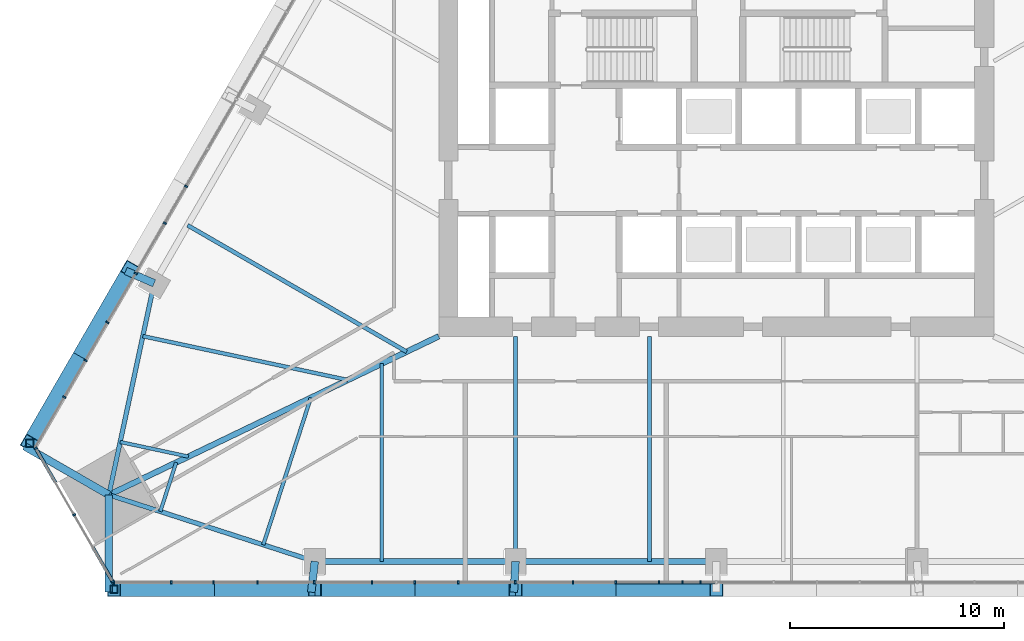
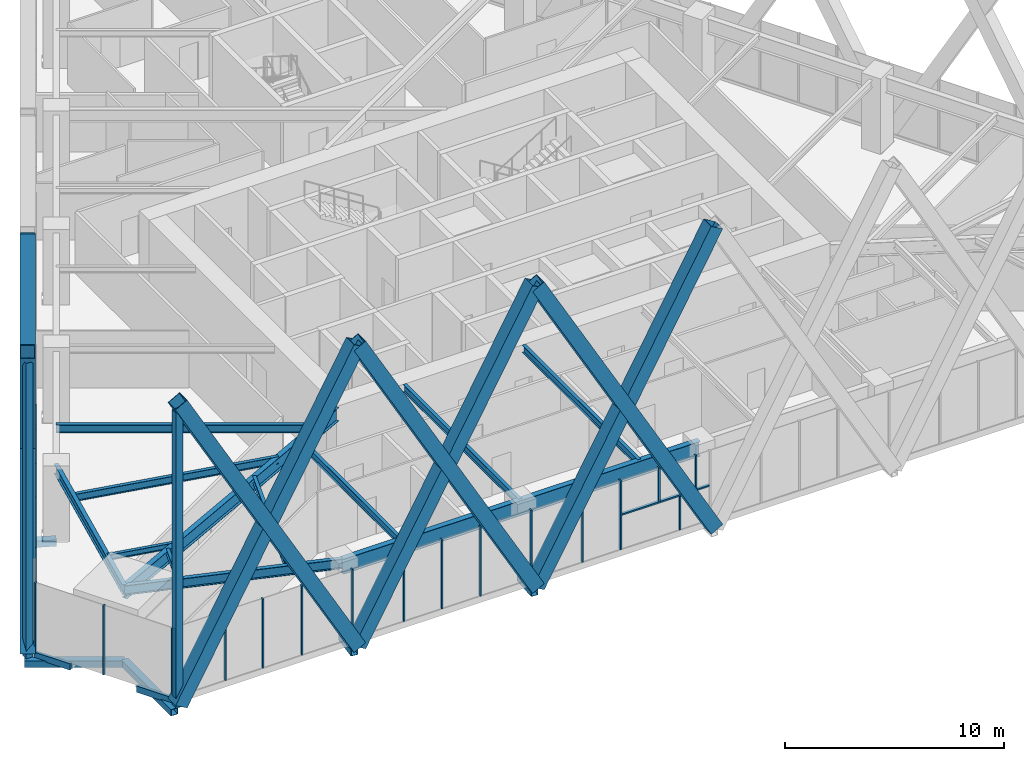
# One storey, part 2 of 21: 41 members, 12 beams, 3 elements without a shape of their own.
"""IFC4 building model written with IfcOpenShell, lengths in metres."""

from ifc_helpers import new_model, si_unit, direction, frame, origin, origin_2d, place, context, subcontext, project, spatial, rectangle, hollow_rectangle, i_section, extrude, material, layer, layer_set, material_profile, profile_set, type_object, element, aggregate, save


model = new_model("IFC4")

# Units and contexts
model_context = context("Model", 3, precision=1e-05, world=origin(), true_north=direction((0.0, 1.0)))
body_context = subcontext(model_context, "Body", "Model", "MODEL_VIEW")
ifc_project = project(units=[si_unit("LENGTHUNIT", "METRE"), si_unit("AREAUNIT", "SQUARE_METRE"), si_unit("VOLUMEUNIT", "CUBIC_METRE"), si_unit("PLANEANGLEUNIT", "RADIAN"), si_unit("MASSUNIT", "GRAM", prefix="KILO")], contexts=[model_context])

# Site, building, storey
site_placement = place(None, origin())
site = spatial("IfcSite", under=ifc_project, at=site_placement, CompositionType="ELEMENT")
building_placement = place(site_placement, origin())
building = spatial("IfcBuilding", under=site, at=building_placement, Name="Firuza Gate Tower and Library", CompositionType="ELEMENT")
storey_placement = place(building_placement, frame((0.0, 0.0, 90.39990234375)))
storey = spatial("IfcBuildingStorey", under=building, at=storey_placement, Name="L20", CompositionType="ELEMENT", Elevation=90.39990234375)

# Members
ifc_material_1 = material(Name="Steel S355", Category="steel")
ifc_material_profile_1 = material_profile(ifc_material_1, hollow_rectangle(XDim=0.699951171875, YDim=0.699951171875, WallThickness=0.030029296875, at=origin_2d()))
ifc_profile_set_1 = profile_set([ifc_material_profile_1], Name="Steel S355")
member_type_1 = type_object("IfcMemberType", Name="BU700x700x30 Lattice brace", PredefinedType="BRACE", material=ifc_profile_set_1)
for number, where, z_axis, x_axis, name in (
    (1, (46.789794921875, 54.156005859375, 0.0), (0.488426893294, 0.0, 0.872604818865), (0.0, 1.0, 0.0), "Lattice brace S 4.1R"),
    (2, (56.193359375, 54.156005859375, 0.0), (-0.488426893294, 0.0, 0.872604818865), (0.0, -1.0, 0.0), "Lattice brace S 4.1L"),
    (3, (56.193359375, 54.156005859375, 0.0), (0.488417237536, 0.0, 0.872610223455), (0.0, 1.0, 0.0), "Lattice brace S 4.2R"),
    (4, (65.5966796875, 54.156005859375, 0.0), (-0.488417237536, 0.0, 0.872610223455), (0.0, -1.0, 0.0), "Lattice brace S 4.2L"),
    (5, (65.5966796875, 54.156005859375, 0.0), (0.488417237536, 0.0, 0.872610223455), (0.0, 1.0, 0.0), "Lattice brace S 4.3R"),
    (6, (75.0, 54.156005859375, 0.0), (-0.488417237536, 0.0, 0.872610223455), (0.0, -1.0, 0.0), "Lattice brace S 4.3L"),
    (7, (47.545166015625, 69.135009765625, 0.0), (-0.24420840192, -0.422983459052, 0.872609448608), (0.866026478318, -0.499998138849, 0.0), "Lattice brace W 4.6R"),
    (8, (42.843505859375, 60.991455078125, 0.0), (0.24420840192, 0.422983459052, 0.872609448608), (-0.866026478318, 0.499998138849, 0.0), "Lattice brace W 4.6L"),
):
    element("IfcMember", number, at=place(storey_placement, frame(where, z_axis=z_axis, x_axis=x_axis)), inside=storey, type_object=member_type_1, Name=name, PredefinedType="BRACE", context=body_context, shape_type="SweptSolid", body=[
        extrude(hollow_rectangle(XDim=0.699951171875, YDim=0.699951171875, WallThickness=0.030029296875, at=origin_2d()), origin(), (0.0, 0.0, 1.0), 19.252685546875),
    ])

# Curtain wall, members
ifc_material_2 = material(Name="Aluminium 6063-T6", Category="aluminium")
ifc_layer_1 = layer(ifc_material_2, 0.14990234375)
ifc_layer_set_1 = layer_set([ifc_layer_1], Name="Unitised curtain wall, offices")
curtain_wall_type_1 = type_object("IfcCurtainWallType", Name="Unitised curtain wall, offices", PredefinedType="NOTDEFINED", material=ifc_layer_set_1)
placement = place(storey_placement, origin())
curtain_wall_1 = element("IfcCurtainWall", 9, at=placement, inside=storey, type_object=curtain_wall_type_1, Name="CW1 L20 S face", PredefinedType="NOTDEFINED")
ifc_material_3 = material(Name="Aluminium 6063-T6", Category="aluminium")
ifc_material_profile_2 = material_profile(ifc_material_3, rectangle(XDim=0.14990234375, YDim=0.080078125, at=origin_2d()))
ifc_profile_set_2 = profile_set([ifc_material_profile_2], Name="Aluminium 6063-T6")
member_type_2 = type_object("IfcMemberType", Name="Curtain wall mullion 80x150", PredefinedType="MULLION", material=ifc_profile_set_2)
member_1_placement = place(storey_placement, frame((46.78662109375, 54.48095703125, 0.150146484375), z_axis=(0.0, 0.0, 1.0), x_axis=(0.0, 1.0, 0.0)))
member_1 = element("IfcMember", 10, at=member_1_placement, type_object=member_type_2, Name="Mullion", PredefinedType="MULLION", context=body_context, shape_type="SweptSolid", body=[
    extrude(rectangle(XDim=0.14990234375, YDim=0.080078125, at=origin_2d()), origin(), (0.0, 0.0, 1.0), 3.849853515625),
])
member_2_placement = place(storey_placement, frame((51.45556640625, 54.48095703125, 0.150146484375), z_axis=(0.0, 0.0, 1.0), x_axis=(0.0, 1.0, 0.0)))
member_2 = element("IfcMember", 11, at=member_2_placement, type_object=member_type_2, Name="Mullion", PredefinedType="MULLION", context=body_context, shape_type="SweptSolid", body=[
    extrude(rectangle(XDim=0.14990234375, YDim=0.080078125, at=origin_2d()), origin(), (0.0, 0.0, 1.0), 3.849853515625),
])
member_3_placement = place(storey_placement, frame((56.164306640625, 54.48095703125, 0.150146484375), z_axis=(0.0, 0.0, 1.0), x_axis=(0.0, 1.0, 0.0)))
member_3 = element("IfcMember", 12, at=member_3_placement, type_object=member_type_2, Name="Mullion", PredefinedType="MULLION", context=body_context, shape_type="SweptSolid", body=[
    extrude(rectangle(XDim=0.14990234375, YDim=0.080078125, at=origin_2d()), origin(), (0.0, 0.0, 1.0), 3.849853515625),
])
member_4_placement = place(storey_placement, frame((60.873291015625, 54.48095703125, 0.150146484375), z_axis=(0.0, 0.0, 1.0), x_axis=(0.0, 1.0, 0.0)))
member_4 = element("IfcMember", 13, at=member_4_placement, type_object=member_type_2, Name="Mullion", PredefinedType="MULLION", context=body_context, shape_type="SweptSolid", body=[
    extrude(rectangle(XDim=0.14990234375, YDim=0.080078125, at=origin_2d()), origin(), (0.0, 0.0, 1.0), 3.849853515625),
])
member_5_placement = place(storey_placement, frame((65.582275390625, 54.48095703125, 0.150146484375), z_axis=(0.0, 0.0, 1.0), x_axis=(0.0, 1.0, 0.0)))
member_5 = element("IfcMember", 14, at=member_5_placement, type_object=member_type_2, Name="Mullion", PredefinedType="MULLION", context=body_context, shape_type="SweptSolid", body=[
    extrude(rectangle(XDim=0.14990234375, YDim=0.080078125, at=origin_2d()), origin(), (0.0, 0.0, 1.0), 3.849853515625),
])
member_6_placement = place(storey_placement, frame((70.291015625, 54.48095703125, 0.150146484375), z_axis=(0.0, 0.0, 1.0), x_axis=(0.0, 1.0, 0.0)))
member_6 = element("IfcMember", 15, at=member_6_placement, type_object=member_type_2, Name="Mullion", PredefinedType="MULLION", context=body_context, shape_type="SweptSolid", body=[
    extrude(rectangle(XDim=0.14990234375, YDim=0.080078125, at=origin_2d()), origin(), (0.0, 0.0, 1.0), 3.849853515625),
])
member_7_placement = place(storey_placement, frame((49.474853515625, 54.48095703125, 0.150146484375), z_axis=(0.0, 0.0, 1.0), x_axis=(0.0, 1.0, 0.0)))
member_7 = element("IfcMember", 16, at=member_7_placement, type_object=member_type_2, Name="Mullion", PredefinedType="MULLION", context=body_context, shape_type="SweptSolid", body=[
    extrude(rectangle(XDim=0.14990234375, YDim=0.080078125, at=origin_2d()), origin(), (0.0, 0.0, 1.0), 3.849853515625),
])
member_8_placement = place(storey_placement, frame((53.50830078125, 54.48095703125, 0.150146484375), z_axis=(0.0, 0.0, 1.0), x_axis=(0.0, 1.0, 0.0)))
member_8 = element("IfcMember", 17, at=member_8_placement, type_object=member_type_2, Name="Mullion", PredefinedType="MULLION", context=body_context, shape_type="SweptSolid", body=[
    extrude(rectangle(XDim=0.14990234375, YDim=0.080078125, at=origin_2d()), origin(), (0.0, 0.0, 1.0), 3.849853515625),
])
member_9_placement = place(storey_placement, frame((58.878173828125, 54.48095703125, 0.150146484375), z_axis=(0.0, 0.0, 1.0), x_axis=(0.0, 1.0, 0.0)))
member_9 = element("IfcMember", 18, at=member_9_placement, type_object=member_type_2, Name="Mullion", PredefinedType="MULLION", context=body_context, shape_type="SweptSolid", body=[
    extrude(rectangle(XDim=0.14990234375, YDim=0.080078125, at=origin_2d()), origin(), (0.0, 0.0, 1.0), 3.849853515625),
])
member_10_placement = place(storey_placement, frame((62.91162109375, 54.48095703125, 0.150146484375), z_axis=(0.0, 0.0, 1.0), x_axis=(0.0, 1.0, 0.0)))
member_10 = element("IfcMember", 19, at=member_10_placement, type_object=member_type_2, Name="Mullion", PredefinedType="MULLION", context=body_context, shape_type="SweptSolid", body=[
    extrude(rectangle(XDim=0.14990234375, YDim=0.080078125, at=origin_2d()), origin(), (0.0, 0.0, 1.0), 3.849853515625),
])
member_11_placement = place(storey_placement, frame((68.28173828125, 54.48095703125, 0.150146484375), z_axis=(0.0, 0.0, 1.0), x_axis=(0.0, 1.0, 0.0)))
member_11 = element("IfcMember", 20, at=member_11_placement, type_object=member_type_2, Name="Mullion", PredefinedType="MULLION", context=body_context, shape_type="SweptSolid", body=[
    extrude(rectangle(XDim=0.14990234375, YDim=0.080078125, at=origin_2d()), origin(), (0.0, 0.0, 1.0), 3.849853515625),
])
member_12_placement = place(storey_placement, frame((73.414794921875, 54.48095703125, 0.150146484375), z_axis=(0.0, 0.0, 1.0), x_axis=(0.0, 1.0, 0.0)))
member_12 = element("IfcMember", 21, at=member_12_placement, type_object=member_type_2, Name="Mullion", PredefinedType="MULLION", context=body_context, shape_type="SweptSolid", body=[
    extrude(rectangle(XDim=0.14990234375, YDim=0.080078125, at=origin_2d()), origin(), (0.0, 0.0, 1.0), 1.885009765625),
])
member_13_placement = place(storey_placement, frame((72.31494140625, 54.48095703125, 2.114990234375), z_axis=(0.0, 0.0, 1.0), x_axis=(0.0, 1.0, 0.0)))
member_13 = element("IfcMember", 22, at=member_13_placement, type_object=member_type_2, Name="Mullion", PredefinedType="MULLION", context=body_context, shape_type="SweptSolid", body=[
    extrude(rectangle(XDim=0.14990234375, YDim=0.080078125, at=origin_2d()), origin(), (0.0, 0.0, 1.0), 1.885009765625),
])
member_14_placement = place(storey_placement, frame((74.26220703125, 54.48095703125, 2.114990234375), z_axis=(0.0, 0.0, 1.0), x_axis=(0.0, 1.0, 0.0)))
member_14 = element("IfcMember", 23, at=member_14_placement, type_object=member_type_2, Name="Mullion", PredefinedType="MULLION", context=body_context, shape_type="SweptSolid", body=[
    extrude(rectangle(XDim=0.14990234375, YDim=0.080078125, at=origin_2d()), origin(), (0.0, 0.0, 1.0), 1.885009765625),
])

curtain_wall_2 = element("IfcCurtainWall", 24, at=placement, inside=storey, type_object=curtain_wall_type_1, Name="CW1 L20 W face", PredefinedType="NOTDEFINED")
member_15_placement = place(storey_placement, frame((50.166748046875, 73.025390625, 0.150146484375), z_axis=(0.0, 0.0, 1.0), x_axis=(0.866025403784, -0.5, 0.0)))
member_15 = element("IfcMember", 25, at=member_15_placement, type_object=member_type_2, Name="Mullion", PredefinedType="MULLION", context=body_context, shape_type="SweptSolid", body=[
    extrude(rectangle(XDim=0.14990234375, YDim=0.080078125, at=origin_2d()), origin(), (0.0, 0.0, 1.0), 3.849853515625),
])
member_16_placement = place(storey_placement, frame((47.812255859375, 68.947509765625, 0.150146484375), z_axis=(0.0, 0.0, 1.0), x_axis=(0.866025403784, -0.5, 0.0)))
member_16 = element("IfcMember", 26, at=member_16_placement, type_object=member_type_2, Name="Mullion", PredefinedType="MULLION", context=body_context, shape_type="SweptSolid", body=[
    extrude(rectangle(XDim=0.14990234375, YDim=0.080078125, at=origin_2d()), origin(), (0.0, 0.0, 1.0), 3.849853515625),
])
member_17_placement = place(storey_placement, frame((45.457763671875, 64.869384765625, 0.150146484375), z_axis=(0.0, 0.0, 1.0), x_axis=(0.866025403784, -0.5, 0.0)))
member_17 = element("IfcMember", 27, at=member_17_placement, type_object=member_type_2, Name="Mullion", PredefinedType="MULLION", context=body_context, shape_type="SweptSolid", body=[
    extrude(rectangle(XDim=0.14990234375, YDim=0.080078125, at=origin_2d()), origin(), (0.0, 0.0, 1.0), 3.849853515625),
])
member_18_placement = place(storey_placement, frame((49.169189453125, 71.297607421875, 0.150146484375), z_axis=(0.0, 0.0, 1.0), x_axis=(0.866025403784, -0.5, 0.0)))
member_18 = element("IfcMember", 28, at=member_18_placement, type_object=member_type_2, Name="Mullion", PredefinedType="MULLION", context=body_context, shape_type="SweptSolid", body=[
    extrude(rectangle(XDim=0.14990234375, YDim=0.080078125, at=origin_2d()), origin(), (0.0, 0.0, 1.0), 3.849853515625),
])
member_19_placement = place(storey_placement, frame((46.484130859375, 66.647216796875, 0.150146484375), z_axis=(0.0, 0.0, 1.0), x_axis=(0.866025403784, -0.5, 0.0)))
member_19 = element("IfcMember", 29, at=member_19_placement, type_object=member_type_2, Name="Mullion", PredefinedType="MULLION", context=body_context, shape_type="SweptSolid", body=[
    extrude(rectangle(XDim=0.14990234375, YDim=0.080078125, at=origin_2d()), origin(), (0.0, 0.0, 1.0), 3.849853515625),
])
member_20_placement = place(storey_placement, frame((44.467529296875, 63.154052734375, 0.150146484375), z_axis=(0.0, 0.0, 1.0), x_axis=(0.866025403784, -0.5, 0.0)))
member_20 = element("IfcMember", 30, at=member_20_placement, type_object=member_type_2, Name="Mullion", PredefinedType="MULLION", context=body_context, shape_type="SweptSolid", body=[
    extrude(rectangle(XDim=0.14990234375, YDim=0.080078125, at=origin_2d()), origin(), (0.0, 0.0, 1.0), 3.849853515625),
])
aggregate(curtain_wall_2, [member_15, member_16, member_17, member_18, member_19, member_20])

ifc_material_4 = material(Name="Aluminium 6063-T6", Category="aluminium")
ifc_layer_2 = layer(ifc_material_4, 0.14990234375)
ifc_layer_set_2 = layer_set([ifc_layer_2], Name="Corner curtain wall, chamfers")
curtain_wall_type_2 = type_object("IfcCurtainWallType", Name="Corner curtain wall, chamfers", PredefinedType="NOTDEFINED", material=ifc_layer_set_2)
curtain_wall_3 = element("IfcCurtainWall", 31, at=placement, inside=storey, type_object=curtain_wall_type_2, Name="CW4 L20 SW corner", PredefinedType="NOTDEFINED")
member_21_placement = place(storey_placement, frame((43.123291015625, 60.756591796875, 0.150146484375), z_axis=(0.0, 0.0, 1.0), x_axis=(0.866025403784, 0.5, 0.0)))
member_21 = element("IfcMember", 32, at=member_21_placement, type_object=member_type_2, Name="Mullion", PredefinedType="MULLION", context=body_context, shape_type="SweptSolid", body=[
    extrude(rectangle(XDim=0.14990234375, YDim=0.080078125, at=origin_2d()), origin(), (0.0, 0.0, 1.0), 3.849853515625),
])
member_22_placement = place(storey_placement, frame((44.925048828125, 57.63623046875, 0.150146484375), z_axis=(0.0, 0.0, 1.0), x_axis=(0.866025403784, 0.5, 0.0)))
member_22 = element("IfcMember", 33, at=member_22_placement, type_object=member_type_2, Name="Mullion", PredefinedType="MULLION", context=body_context, shape_type="SweptSolid", body=[
    extrude(rectangle(XDim=0.14990234375, YDim=0.080078125, at=origin_2d()), origin(), (0.0, 0.0, 1.0), 3.849853515625),
])
member_23_placement = place(storey_placement, frame((46.7265625, 54.515625, 0.150146484375), z_axis=(0.0, 0.0, 1.0), x_axis=(0.866025403784, 0.5, 0.0)))
member_23 = element("IfcMember", 34, at=member_23_placement, type_object=member_type_2, Name="Mullion", PredefinedType="MULLION", context=body_context, shape_type="SweptSolid", body=[
    extrude(rectangle(XDim=0.14990234375, YDim=0.080078125, at=origin_2d()), origin(), (0.0, 0.0, 1.0), 3.849853515625),
])
ifc_material_5 = material(Name="Aluminium 6063-T6", Category="aluminium")
ifc_material_profile_3 = material_profile(ifc_material_5, rectangle(XDim=0.14990234375, YDim=0.35009765625, at=origin_2d()))
ifc_profile_set_3 = profile_set([ifc_material_profile_3], Name="Aluminium 6063-T6")
member_type_3 = type_object("IfcMemberType", Name="Curtain wall transom 350x150", PredefinedType="USERDEFINED", material=ifc_profile_set_3)
member_24_placement = place(storey_placement, frame((43.103271484375, 60.791259765625, -0.02490234375), z_axis=(0.499983064336, -0.866035181374, 0.0), x_axis=(0.866035181374, 0.499983064336, 0.0)))
member_24 = element("IfcMember", 35, at=member_24_placement, type_object=member_type_3, Name="Transom", ObjectType="TRANSOM", PredefinedType="USERDEFINED", context=body_context, shape_type="SweptSolid", body=[
    extrude(rectangle(XDim=0.14990234375, YDim=0.35009765625, at=origin_2d()), origin(), (0.0, 0.0, 1.0), 1.89208984375),
])
member_25_placement = place(storey_placement, frame((45.800537109375, 56.11962890625, -0.02490234375), z_axis=(0.499983064336, -0.866035181374, 0.0), x_axis=(0.866035181374, 0.499983064336, 0.0)))
member_25 = element("IfcMember", 36, at=member_25_placement, type_object=member_type_3, Name="Transom", ObjectType="TRANSOM", PredefinedType="USERDEFINED", context=body_context, shape_type="SweptSolid", body=[
    extrude(rectangle(XDim=0.14990234375, YDim=0.35009765625, at=origin_2d()), origin(), (0.0, 0.0, 1.0), 1.89208984375),
])
aggregate(curtain_wall_3, [member_21, member_22, member_23, member_24, member_25])

# Member
ifc_material_6 = material(Name="Aluminium 6063-T6", Category="aluminium")
ifc_material_profile_4 = material_profile(ifc_material_6, rectangle(XDim=0.14990234375, YDim=0.080078125, at=origin_2d()))
ifc_profile_set_4 = profile_set([ifc_material_profile_4], Name="Aluminium 6063-T6")
member_type_4 = type_object("IfcMemberType", Name="Curtain wall transom 80x150", PredefinedType="USERDEFINED", material=ifc_profile_set_4)
member_26_placement = place(storey_placement, frame((70.3310546875, 54.48095703125, 2.0751953125), z_axis=(1.0, 0.0, 0.0), x_axis=(0.0, 1.0, 0.0)))
member_26 = element("IfcMember", 37, at=member_26_placement, type_object=member_type_4, Name="Transom", ObjectType="TRANSOM", PredefinedType="USERDEFINED", context=body_context, shape_type="SweptSolid", body=[
    extrude(rectangle(XDim=0.14990234375, YDim=0.080078125, at=origin_2d()), origin(), (0.0, 0.0, 1.0), 4.62890625),
])

aggregate(curtain_wall_1, [member_1, member_2, member_3, member_4, member_5, member_6, member_7, member_8, member_9, member_10, member_11, member_12, member_13, member_14, member_26])

# Members
ifc_material_7 = material(Name="Steel S355", Category="steel")
ifc_material_profile_5 = material_profile(ifc_material_7, hollow_rectangle(XDim=0.355712890625, YDim=0.355712890625, WallThickness=0.014892578125, at=origin_2d()))
ifc_profile_set_5 = profile_set([ifc_material_profile_5], Name="Steel S355")
member_type_5 = type_object("IfcMemberType", Name="HSS356x356x16 Lattice corner stile", PredefinedType="BRACE", material=ifc_profile_set_5)
for number, where, z_axis, x_axis, name in (
    (38, (46.789794921875, 54.156005859375, -0.139892578125), (0.0, 0.0, 1.0), (1.0, 0.0, 0.0), "Lattice corner stile S 4.A"),
    (39, (42.843505859375, 60.991455078125, -0.139892578125), (0.0, 0.0, 1.0), (1.0, 0.0, 0.0), "Lattice corner stile W 4.B"),
):
    element("IfcMember", number, at=place(storey_placement, frame(where, z_axis=z_axis, x_axis=x_axis)), inside=storey, type_object=member_type_5, Name=name, PredefinedType="BRACE", context=body_context, shape_type="SweptSolid", body=[
        extrude(hollow_rectangle(XDim=0.355712890625, YDim=0.355712890625, WallThickness=0.014892578125, at=origin_2d()), origin(), (0.0, 0.0, 1.0), 16.43994140625),
    ])
ifc_material_8 = material(Name="Steel S355", Category="steel")
ifc_material_profile_6 = material_profile(ifc_material_8, hollow_rectangle(XDim=0.355712890625, YDim=0.355712890625, WallThickness=0.014892578125, at=origin_2d()))
ifc_profile_set_6 = profile_set([ifc_material_profile_6], Name="Steel S355")
member_type_6 = type_object("IfcMemberType", Name="HSS356x356x16 Lattice node tie", PredefinedType="BRACE", material=ifc_profile_set_6)
member_27_placement = place(storey_placement, frame((46.548828125, 58.57373046875, -0.31982421875), z_axis=(-0.001017347942, -0.999999482501, 0.0), x_axis=(0.999999482501, -0.001017347942, 0.0)))
element("IfcMember", 40, at=member_27_placement, inside=storey, type_object=member_type_6, Name="Lattice node tie S L20 71", PredefinedType="BRACE", context=body_context, shape_type="SweptSolid", body=[
    extrude(hollow_rectangle(XDim=0.355712890625, YDim=0.355712890625, WallThickness=0.014892578125, at=origin_2d()), origin(), (0.0, 0.0, 1.0), 4.5595703125),
])
member_28_placement = place(storey_placement, frame((56.193359375, 55.4560546875, -0.31982421875), z_axis=(-0.113053127433, -0.993588944372, 0.0), x_axis=(0.993588944372, -0.113053127433, 0.0)))
element("IfcMember", 41, at=member_28_placement, inside=storey, type_object=member_type_6, Name="Lattice node tie S L20 72", PredefinedType="BRACE", context=body_context, shape_type="SweptSolid", body=[
    extrude(hollow_rectangle(XDim=0.355712890625, YDim=0.355712890625, WallThickness=0.014892578125, at=origin_2d()), origin(), (0.0, 0.0, 1.0), 1.451171875),
])
member_29_placement = place(storey_placement, frame((65.5966796875, 55.4560546875, -0.31982421875), z_axis=(-0.056799452131, -0.998385607988, 0.0), x_axis=(0.998385607988, -0.056799452131, 0.0)))
element("IfcMember", 42, at=member_29_placement, inside=storey, type_object=member_type_6, Name="Lattice node tie S L20 73", PredefinedType="BRACE", context=body_context, shape_type="SweptSolid", body=[
    extrude(hollow_rectangle(XDim=0.355712890625, YDim=0.355712890625, WallThickness=0.014892578125, at=origin_2d()), origin(), (0.0, 0.0, 1.0), 1.4443359375),
])
member_30_placement = place(storey_placement, frame((46.548828125, 58.57373046875, -0.31982421875), z_axis=(-0.866554392676, 0.499082642989, 0.0), x_axis=(-0.499082642989, -0.866554392676, 0.0)))
element("IfcMember", 43, at=member_30_placement, inside=storey, type_object=member_type_6, Name="Lattice node tie W L20 78", PredefinedType="BRACE", context=body_context, shape_type="SweptSolid", body=[
    extrude(hollow_rectangle(XDim=0.355712890625, YDim=0.355712890625, WallThickness=0.014892578125, at=origin_2d()), origin(), (0.0, 0.0, 1.0), 4.5595703125),
])
member_31_placement = place(storey_placement, frame((48.6708984375, 68.48486328125, -0.31982421875), z_axis=(-0.91692020513, 0.399070592031, 0.0), x_axis=(-0.399070592031, -0.91692020513, 0.0)))
element("IfcMember", 44, at=member_31_placement, inside=storey, type_object=member_type_6, Name="Lattice node tie W L20 79", PredefinedType="BRACE", context=body_context, shape_type="SweptSolid", body=[
    extrude(hollow_rectangle(XDim=0.355712890625, YDim=0.355712890625, WallThickness=0.014892578125, at=origin_2d()), origin(), (0.0, 0.0, 1.0), 1.451171875),
])

# Beams
ifc_material_9 = material(Name="Steel S355", Category="steel")
ifc_material_profile_7 = material_profile(ifc_material_9, i_section(OverallWidth=0.1650390625, OverallDepth=0.31005859375, WebThickness=0.005859375, FlangeThickness=0.009765625, at=origin_2d()))
ifc_profile_set_7 = profile_set([ifc_material_profile_7], Name="Steel S355")
beam_type_1 = type_object("IfcBeamType", Name="W310x39 Floor beam", PredefinedType="JOIST", material=ifc_profile_set_7)
beam_1_placement = place(storey_placement, frame((47.079345703125, 61.051513671875, 3.84521484375), z_axis=(0.97783625128, -0.209371119503, 0.0), x_axis=(0.209371119503, 0.97783625128, 0.0)))
element("IfcBeam", 45, at=beam_1_placement, inside=storey, type_object=beam_type_1, Name="Floor beam L20 s01", PredefinedType="JOIST", context=body_context, shape_type="SweptSolid", body=[
    extrude(i_section(OverallWidth=0.1650390625, OverallDepth=0.31005859375, WebThickness=0.005859375, FlangeThickness=0.009765625, at=origin_2d()), origin(), (0.0, 0.0, 1.0), 3.27197265625),
])
beam_2_placement = place(storey_placement, frame((48.9599609375, 57.794189453125, 3.84521484375), z_axis=(0.307529192358, 0.951538646534, 0.0), x_axis=(-0.951538646534, 0.307529192358, 0.0)))
element("IfcBeam", 46, at=beam_2_placement, inside=storey, type_object=beam_type_1, Name="Floor beam L20 s10", PredefinedType="JOIST", context=body_context, shape_type="SweptSolid", body=[
    extrude(i_section(OverallWidth=0.1650390625, OverallDepth=0.31005859375, WebThickness=0.005859375, FlangeThickness=0.009765625, at=origin_2d()), origin(), (0.0, 0.0, 1.0), 2.411865234375),
])
ifc_material_10 = material(Name="Steel S355", Category="steel")
ifc_material_profile_8 = material_profile(ifc_material_10, i_section(OverallWidth=0.1708984375, OverallDepth=0.35498046875, WebThickness=0.007080078125, FlangeThickness=0.01171875, at=origin_2d()))
ifc_profile_set_8 = profile_set([ifc_material_profile_8], Name="Steel S355")
beam_type_2 = type_object("IfcBeamType", Name="W360x51 Floor beam", PredefinedType="JOIST", material=ifc_profile_set_8)
beam_3_placement = place(storey_placement, frame((53.7822265625, 56.2353515625, 3.822509765625), z_axis=(0.307569618225, 0.951525580289, 0.0), x_axis=(-0.951525580289, 0.307569618225, 0.0)))
element("IfcBeam", 47, at=beam_3_placement, inside=storey, type_object=beam_type_2, Name="Floor beam L20 s11", PredefinedType="JOIST", context=body_context, shape_type="SweptSolid", body=[
    extrude(i_section(OverallWidth=0.1708984375, OverallDepth=0.35498046875, WebThickness=0.007080078125, FlangeThickness=0.01171875, at=origin_2d()), origin(), (0.0, 0.0, 1.0), 7.2353515625),
])
ifc_material_11 = material(Name="Steel S355", Category="steel")
ifc_material_profile_9 = material_profile(ifc_material_11, i_section(OverallWidth=0.177978515625, OverallDepth=0.406982421875, WebThickness=0.0078125, FlangeThickness=0.0126953125, at=origin_2d()))
ifc_profile_set_9 = profile_set([ifc_material_profile_9], Name="Steel S355")
beam_type_3 = type_object("IfcBeamType", Name="W410x60 Floor beam", PredefinedType="JOIST", material=ifc_profile_set_9)
beam_4_placement = place(storey_placement, frame((48.140380859375, 66.007080078125, 3.796630859375), z_axis=(0.977835160952, -0.209376211652, 0.0), x_axis=(0.209376211652, 0.977835160952, 0.0)))
element("IfcBeam", 48, at=beam_4_placement, inside=storey, type_object=beam_type_3, Name="Floor beam L20 s00", PredefinedType="JOIST", context=body_context, shape_type="SweptSolid", body=[
    extrude(i_section(OverallWidth=0.177978515625, OverallDepth=0.406982421875, WebThickness=0.0078125, FlangeThickness=0.0126953125, at=origin_2d()), origin(), (0.0, 0.0, 1.0), 9.815673828125),
])
beam_5_placement = place(storey_placement, frame((59.32763671875, 55.4560546875, 3.796630859375), z_axis=(0.0, 1.0, 0.0), x_axis=(-1.0, 0.0, 0.0)))
element("IfcBeam", 49, at=beam_5_placement, inside=storey, type_object=beam_type_3, Name="Floor beam L20 s20", PredefinedType="JOIST", context=body_context, shape_type="SweptSolid", body=[
    extrude(i_section(OverallWidth=0.177978515625, OverallDepth=0.406982421875, WebThickness=0.0078125, FlangeThickness=0.0126953125, at=origin_2d()), origin(), (0.0, 0.0, 1.0), 9.259521484375),
])
for number, where, z_axis, x_axis, name in (
    (50, (65.5966796875, 55.4560546875, 3.796630859375), (0.0, 1.0, 0.0), (-1.0, 0.0, 0.0), "Floor beam L20 s21"),
    (51, (71.865478515625, 55.4560546875, 3.796630859375), (0.0, 1.0, 0.0), (-1.0, 0.0, 0.0), "Floor beam L20 s22"),
):
    element("IfcBeam", number, at=place(storey_placement, frame(where, z_axis=z_axis, x_axis=x_axis)), inside=storey, type_object=beam_type_3, Name=name, PredefinedType="JOIST", context=body_context, shape_type="SweptSolid", body=[
        extrude(i_section(OverallWidth=0.177978515625, OverallDepth=0.406982421875, WebThickness=0.0078125, FlangeThickness=0.0126953125, at=origin_2d()), origin(), (0.0, 0.0, 1.0), 10.5439453125),
    ])
ifc_material_12 = material(Name="Steel S355", Category="steel")
ifc_material_profile_10 = material_profile(ifc_material_12, i_section(OverallWidth=0.18994140625, OverallDepth=0.45703125, WebThickness=0.009033203125, FlangeThickness=0.014404296875, at=origin_2d()))
ifc_profile_set_10 = profile_set([ifc_material_profile_10], Name="Steel S355")
beam_type_4 = type_object("IfcBeamType", Name="W460x74 Floor beam", PredefinedType="JOIST", material=ifc_profile_set_10)
beam_6_placement = place(storey_placement, frame((50.23828125, 71.199462890625, 3.771484375), z_axis=(0.866019794698, -0.500009715097, 0.0), x_axis=(0.500009715097, 0.866019794698, 0.0)))
element("IfcBeam", 52, at=beam_6_placement, inside=storey, type_object=beam_type_4, Name="Floor beam L20 s85", PredefinedType="JOIST", context=body_context, shape_type="SweptSolid", body=[
    extrude(i_section(OverallWidth=0.18994140625, OverallDepth=0.45703125, WebThickness=0.009033203125, FlangeThickness=0.014404296875, at=origin_2d()), origin(), (0.0, 0.0, 1.0), 11.844482421875),
])
ifc_material_13 = material(Name="Steel S355", Category="steel")
ifc_material_profile_11 = material_profile(ifc_material_13, i_section(OverallWidth=0.212890625, OverallDepth=0.5390625, WebThickness=0.01171875, FlangeThickness=0.018798828125, at=origin_2d()))
ifc_profile_set_11 = profile_set([ifc_material_profile_11], Name="Steel S355")
beam_type_5 = type_object("IfcBeamType", Name="W530x109 Edge beam", PredefinedType="SPANDREL", material=ifc_profile_set_11)
beam_7_placement = place(storey_placement, frame((48.6708984375, 68.48486328125, 3.730712890625), z_axis=(-0.209364588878, -0.977837649574, 0.0), x_axis=(0.977837649574, -0.209364588878, 0.0)))
element("IfcBeam", 53, at=beam_7_placement, inside=storey, type_object=beam_type_5, Name="Edge beam L20 e00", PredefinedType="SPANDREL", context=body_context, shape_type="SweptSolid", body=[
    extrude(i_section(OverallWidth=0.212890625, OverallDepth=0.5390625, WebThickness=0.01171875, FlangeThickness=0.018798828125, at=origin_2d()), origin(), (0.0, 0.0, 1.0), 10.1357421875),
])
beam_8_placement = place(storey_placement, frame((46.548828125, 58.57373046875, 3.730712890625), z_axis=(0.951520013056, -0.307586840996, 0.0), x_axis=(0.307586840996, 0.951520013056, 0.0)))
element("IfcBeam", 54, at=beam_8_placement, inside=storey, type_object=beam_type_5, Name="Edge beam L20 e10", PredefinedType="SPANDREL", context=body_context, shape_type="SweptSolid", body=[
    extrude(i_section(OverallWidth=0.212890625, OverallDepth=0.5390625, WebThickness=0.01171875, FlangeThickness=0.018798828125, at=origin_2d()), origin(), (0.0, 0.0, 1.0), 10.135986328125),
])
ifc_material_14 = material(Name="Steel S355", Category="steel")
ifc_material_profile_12 = material_profile(ifc_material_14, i_section(OverallWidth=0.264892578125, OverallDepth=0.7529296875, WebThickness=0.01318359375, FlangeThickness=0.01708984375, at=origin_2d()))
ifc_profile_set_12 = profile_set([ifc_material_profile_12], Name="Steel S355")
beam_type_6 = type_object("IfcBeamType", Name="W760x147 Girder", PredefinedType="BEAM", material=ifc_profile_set_12)
beam_9_placement = place(storey_placement, frame((46.548828125, 58.57373046875, 3.62353515625), z_axis=(0.901302042776, 0.433191213771, 0.0), x_axis=(-0.433191213771, 0.901302042776, 0.0)))
element("IfcBeam", 55, at=beam_9_placement, inside=storey, type_object=beam_type_6, Name="Girder L20 gSW", PredefinedType="BEAM", context=body_context, shape_type="SweptSolid", body=[
    extrude(i_section(OverallWidth=0.264892578125, OverallDepth=0.7529296875, WebThickness=0.01318359375, FlangeThickness=0.01708984375, at=origin_2d()), origin(), (0.0, 0.0, 1.0), 17.14306640625),
])
ifc_material_15 = material(Name="Steel S355", Category="steel")
ifc_material_profile_13 = material_profile(ifc_material_15, i_section(OverallWidth=0.2919921875, OverallDepth=0.8349609375, WebThickness=0.013916015625, FlangeThickness=0.018798828125, at=origin_2d()))
ifc_profile_set_13 = profile_set([ifc_material_profile_13], Name="Steel S355")
beam_type_7 = type_object("IfcBeamType", Name="W840x176 Edge beam", PredefinedType="SPANDREL", material=ifc_profile_set_13)
beam_10_placement = place(storey_placement, frame((56.193359375, 55.4560546875, 3.58251953125), z_axis=(1.0, 0.0, 0.0), x_axis=(0.0, 1.0, 0.0)))
element("IfcBeam", 56, at=beam_10_placement, inside=storey, type_object=beam_type_7, Name="Edge beam L20 e20", PredefinedType="SPANDREL", context=body_context, shape_type="SweptSolid", body=[
    extrude(i_section(OverallWidth=0.2919921875, OverallDepth=0.8349609375, WebThickness=0.013916015625, FlangeThickness=0.018798828125, at=origin_2d()), origin(), (0.0, 0.0, 1.0), 18.806640625),
])

save(model, "model.ifc")
